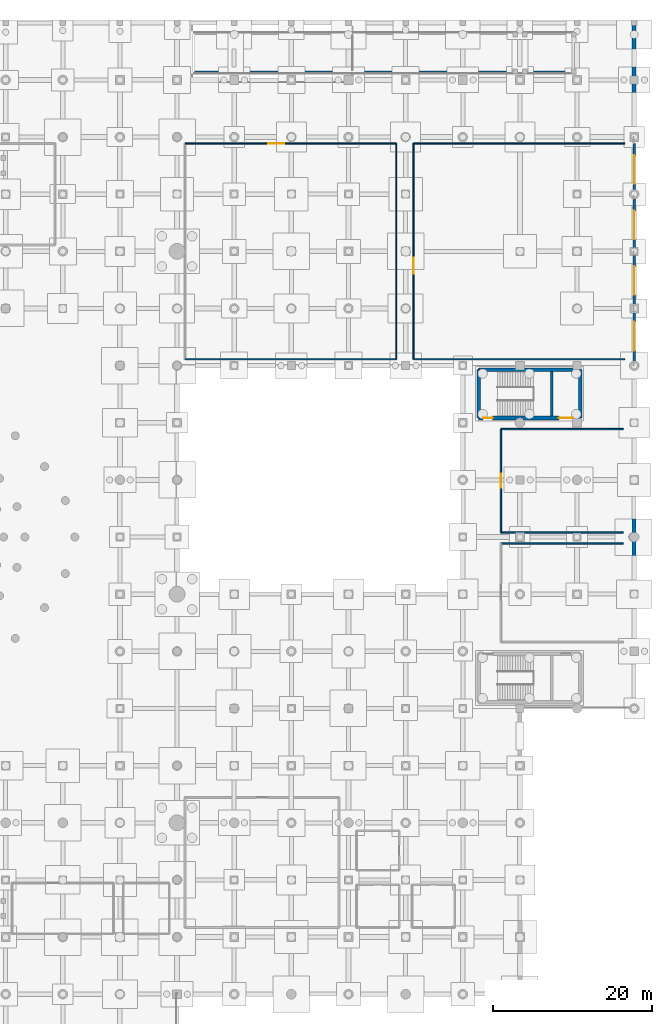
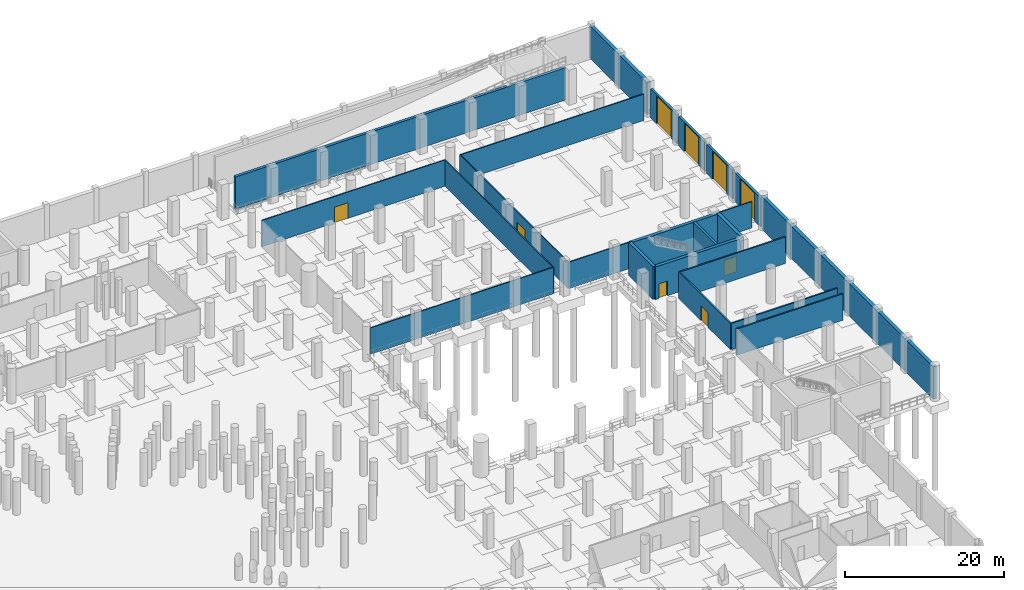
# One storey, part 28 of 37: 22 walls, 9 doors, 9 openings.
"""IFC4 building model written with IfcOpenShell, lengths in metres."""

from ifc_helpers import new_model, si_unit, direction, frame, frame_2d, origin, place, context, subcontext, project, spatial, rectangle, extrude, material, layer, layer_set, type_object, element, fill, save


model = new_model("IFC4")

# Units and contexts
model_context = context("Model", 3, precision=1e-05, world=origin(), true_north=direction((0.0, 1.0)))
body_context = subcontext(model_context, "Body", "Model", "MODEL_VIEW")
ifc_project = project(units=[si_unit("LENGTHUNIT", "METRE"), si_unit("AREAUNIT", "SQUARE_METRE"), si_unit("VOLUMEUNIT", "CUBIC_METRE"), si_unit("PLANEANGLEUNIT", "RADIAN"), si_unit("MASSUNIT", "GRAM", prefix="KILO")], contexts=[model_context])

# Site, building, storey
site_placement = place(None, origin())
site = spatial("IfcSite", under=ifc_project, at=site_placement, CompositionType="ELEMENT")
building_placement = place(site_placement, origin())
building = spatial("IfcBuilding", under=site, at=building_placement, Name="Qandorah Velis Arena", CompositionType="ELEMENT")
storey_placement = place(building_placement, frame((0.0, 0.0, -5.39990234375)))
storey = spatial("IfcBuildingStorey", under=building, at=storey_placement, Name="B1", CompositionType="ELEMENT", Elevation=-5.39990234375)

# Wall, opening, door
ifc_material_1 = material(Name="Precast concrete C40/50", Category="concrete")
ifc_layer_1 = layer(ifc_material_1, 0.340087890625)
ifc_layer_set_1 = layer_set([ifc_layer_1], Name="Precast concrete C40/50")
wall_type_1 = type_object("IfcWallType", Name="ARC-WAL-EXT340", PredefinedType="SOLIDWALL", material=ifc_layer_set_1)
wall_1_placement = place(storey_placement, frame((172.800048828125, 86.800048828125, 0.0), z_axis=(0.0, 0.0, 1.0), x_axis=(0.0, 1.0, 0.0)))
wall_1 = element("IfcWall", 1, at=wall_1_placement, inside=storey, type_object=wall_type_1, Name="Truck loading dock bay wall 1", PredefinedType="SOLIDWALL", context=body_context, shape_type="SweptSolid", body=[
    extrude(rectangle(XDim=6.599853515625, YDim=0.340087890625, at=frame_2d((3.2998046875, 0.0))), origin(), (0.0, 0.0, 1.0), 4.449951171875),
])
opening_1_placement = place(wall_1_placement, frame((1.5, 0.0, 0.0)))
opening_1 = element("IfcOpeningElement", 2, at=opening_1_placement, cuts=wall_1, Name="Opening TD1", PredefinedType="OPENING", context=body_context, shape_type="SweptSolid", body=[
    extrude(rectangle(XDim=3.60009765625, YDim=4.300048828125, at=frame_2d((1.800048828125, 2.14990234375))), frame((0.0, 0.18017578125, 0.0), z_axis=(0.0, -1.0, 0.0), x_axis=(1.0, 0.0, 0.0)), (0.0, 0.0, 1.0), 0.360107421875),
])
ifc_material_2 = material(Name="Insulated sectional overhead dock door")
door_type_1 = type_object("IfcDoorType", Name="ARC-DR-DCK3600", OperationType="NOTDEFINED", PredefinedType="DOOR", material=ifc_material_2)
door_1_placement = place(opening_1_placement, frame((3.60009765625, 0.0, 0.0), z_axis=(0.0, 0.0, 1.0), x_axis=(-1.0, 0.0, 0.0)))
door_1 = element("IfcDoor", 3, at=door_1_placement, inside=storey, type_object=door_type_1, Name="Truck loading dock overhead shutter door TD1", OperationType="SLIDING_TO_RIGHT", OverallHeight=4.300048828125, OverallWidth=3.60009765625, PredefinedType="DOOR", context=body_context, shape_type="SweptSolid", body=[
    extrude(rectangle(XDim=3.60009765625, YDim=4.300048828125, at=frame_2d((1.800048828125, 2.14990234375))), frame((0.0, 0.02490234375, 0.0), z_axis=(0.0, -1.0, 0.0), x_axis=(1.0, 0.0, 0.0)), (0.0, 0.0, 1.0), 0.050048828125),
])
fill(opening_1, door_1)

wall_2_placement = place(storey_placement, frame((172.800048828125, 93.800048828125, 0.0), z_axis=(0.0, 0.0, 1.0), x_axis=(0.0, 1.0, 0.0)))
wall_2 = element("IfcWall", 4, at=wall_2_placement, inside=storey, type_object=wall_type_1, Name="Truck loading dock bay wall 2", PredefinedType="SOLIDWALL", context=body_context, shape_type="SweptSolid", body=[
    extrude(rectangle(XDim=6.599853515625, YDim=0.340087890625, at=frame_2d((3.2998046875, 0.0))), origin(), (0.0, 0.0, 1.0), 4.449951171875),
])
opening_2_placement = place(wall_2_placement, frame((1.5, 0.0, 0.0)))
opening_2 = element("IfcOpeningElement", 5, at=opening_2_placement, cuts=wall_2, Name="Opening TD1", PredefinedType="OPENING", context=body_context, shape_type="SweptSolid", body=[
    extrude(rectangle(XDim=3.60009765625, YDim=4.300048828125, at=frame_2d((1.800048828125, 2.14990234375))), frame((0.0, 0.18017578125, 0.0), z_axis=(0.0, -1.0, 0.0), x_axis=(1.0, 0.0, 0.0)), (0.0, 0.0, 1.0), 0.360107421875),
])
door_2_placement = place(opening_2_placement, frame((3.60009765625, 0.0, 0.0), z_axis=(0.0, 0.0, 1.0), x_axis=(-1.0, 0.0, 0.0)))
door_2 = element("IfcDoor", 6, at=door_2_placement, inside=storey, type_object=door_type_1, Name="Truck loading dock overhead shutter door TD2", OperationType="SLIDING_TO_RIGHT", OverallHeight=4.300048828125, OverallWidth=3.60009765625, PredefinedType="DOOR", context=body_context, shape_type="SweptSolid", body=[
    extrude(rectangle(XDim=3.60009765625, YDim=4.300048828125, at=frame_2d((1.800048828125, 2.14990234375))), frame((0.0, 0.02490234375, 0.0), z_axis=(0.0, -1.0, 0.0), x_axis=(1.0, 0.0, 0.0)), (0.0, 0.0, 1.0), 0.050048828125),
])
fill(opening_2, door_2)

wall_3_placement = place(storey_placement, frame((172.800048828125, 100.800048828125, 0.0), z_axis=(0.0, 0.0, 1.0), x_axis=(0.0, 1.0, 0.0)))
wall_3 = element("IfcWall", 7, at=wall_3_placement, inside=storey, type_object=wall_type_1, Name="Truck loading dock bay wall 3", PredefinedType="SOLIDWALL", context=body_context, shape_type="SweptSolid", body=[
    extrude(rectangle(XDim=6.599853515625, YDim=0.340087890625, at=frame_2d((3.2998046875, 0.0))), origin(), (0.0, 0.0, 1.0), 4.449951171875),
])
opening_3_placement = place(wall_3_placement, frame((1.5, 0.0, 0.0)))
opening_3 = element("IfcOpeningElement", 8, at=opening_3_placement, cuts=wall_3, Name="Opening TD1", PredefinedType="OPENING", context=body_context, shape_type="SweptSolid", body=[
    extrude(rectangle(XDim=3.60009765625, YDim=4.300048828125, at=frame_2d((1.800048828125, 2.14990234375))), frame((0.0, 0.18017578125, 0.0), z_axis=(0.0, -1.0, 0.0), x_axis=(1.0, 0.0, 0.0)), (0.0, 0.0, 1.0), 0.360107421875),
])
door_3_placement = place(opening_3_placement, frame((3.60009765625, 0.0, 0.0), z_axis=(0.0, 0.0, 1.0), x_axis=(-1.0, 0.0, 0.0)))
door_3 = element("IfcDoor", 9, at=door_3_placement, inside=storey, type_object=door_type_1, Name="Truck loading dock overhead shutter door TD3", OperationType="SLIDING_TO_RIGHT", OverallHeight=4.300048828125, OverallWidth=3.60009765625, PredefinedType="DOOR", context=body_context, shape_type="SweptSolid", body=[
    extrude(rectangle(XDim=3.60009765625, YDim=4.300048828125, at=frame_2d((1.800048828125, 2.14990234375))), frame((0.0, 0.02490234375, 0.0), z_axis=(0.0, -1.0, 0.0), x_axis=(1.0, 0.0, 0.0)), (0.0, 0.0, 1.0), 0.050048828125),
])
fill(opening_3, door_3)

wall_4_placement = place(storey_placement, frame((172.800048828125, 107.800048828125, 0.0), z_axis=(0.0, 0.0, 1.0), x_axis=(0.0, 1.0, 0.0)))
wall_4 = element("IfcWall", 10, at=wall_4_placement, inside=storey, type_object=wall_type_1, Name="Truck loading dock bay wall 4", PredefinedType="SOLIDWALL", context=body_context, shape_type="SweptSolid", body=[
    extrude(rectangle(XDim=6.599853515625, YDim=0.340087890625, at=frame_2d((3.2998046875, 0.0))), origin(), (0.0, 0.0, 1.0), 4.449951171875),
])
opening_4_placement = place(wall_4_placement, frame((1.5, 0.0, 0.0)))
opening_4 = element("IfcOpeningElement", 11, at=opening_4_placement, cuts=wall_4, Name="Opening TD1", PredefinedType="OPENING", context=body_context, shape_type="SweptSolid", body=[
    extrude(rectangle(XDim=3.60009765625, YDim=4.300048828125, at=frame_2d((1.800048828125, 2.14990234375))), frame((0.0, 0.18017578125, 0.0), z_axis=(0.0, -1.0, 0.0), x_axis=(1.0, 0.0, 0.0)), (0.0, 0.0, 1.0), 0.360107421875),
])
door_4_placement = place(opening_4_placement, frame((3.60009765625, 0.0, 0.0), z_axis=(0.0, 0.0, 1.0), x_axis=(-1.0, 0.0, 0.0)))
door_4 = element("IfcDoor", 12, at=door_4_placement, inside=storey, type_object=door_type_1, Name="Truck loading dock overhead shutter door TD4", OperationType="SLIDING_TO_RIGHT", OverallHeight=4.300048828125, OverallWidth=3.60009765625, PredefinedType="DOOR", context=body_context, shape_type="SweptSolid", body=[
    extrude(rectangle(XDim=3.60009765625, YDim=4.300048828125, at=frame_2d((1.800048828125, 2.14990234375))), frame((0.0, 0.02490234375, 0.0), z_axis=(0.0, -1.0, 0.0), x_axis=(1.0, 0.0, 0.0)), (0.0, 0.0, 1.0), 0.050048828125),
])
fill(opening_4, door_4)

# Walls
ifc_material_3 = material(Name="Concrete C35/45", Category="concrete")
ifc_layer_2 = layer(ifc_material_3, 0.199951171875)
ifc_layer_set_2 = layer_set([ifc_layer_2], Name="Concrete C35/45")
wall_type_2 = type_object("IfcWallType", Name="ARC-WAL-FD60-200", PredefinedType="PARTITIONING", material=ifc_layer_set_2)
for number, where, z_axis, x_axis, name in (
    (13, (171.39990234375, 64.0, 0.0), (0.0, 0.0, 1.0), (-1.0, 0.0, 0.0), "Interior partition B1-PLT-CHL (N)"),
    (14, (156.0, 65.39990234375, 0.0), (0.0, 0.0, 1.0), (1.0, 0.0, 0.0), "Interior partition B1-PLT-ELC (S)"),
    (15, (171.39990234375, 78.39990234375, 0.0), (0.0, 0.0, 1.0), (-1.0, 0.0, 0.0), "Interior partition B1-PLT-ELC (N)"),
):
    element("IfcWall", number, at=place(storey_placement, frame(where, z_axis=z_axis, x_axis=x_axis)), inside=storey, type_object=wall_type_2, Name=name, PredefinedType="PARTITIONING", context=body_context, shape_type="SweptSolid", body=[
        extrude(rectangle(XDim=15.39990234375, YDim=0.199951171875, at=frame_2d((7.699951171875, 0.0))), origin(), (0.0, 0.0, 1.0), 4.039794921875),
    ])

# Wall, opening, door
wall_5_placement = place(storey_placement, frame((156.0, 78.39990234375, 0.0), z_axis=(0.0, 0.0, 1.0), x_axis=(0.0, -1.0, 0.0)))
wall_5 = element("IfcWall", 16, at=wall_5_placement, inside=storey, type_object=wall_type_2, Name="Interior partition B1-PLT-ELC (W)", PredefinedType="PARTITIONING", context=body_context, shape_type="SweptSolid", body=[
    extrude(rectangle(XDim=13.0, YDim=0.199951171875, at=frame_2d((6.5, 0.0))), origin(), (0.0, 0.0, 1.0), 4.039794921875),
])
opening_5_placement = place(wall_5_placement, frame((5.60009765625, 0.0, 0.0)))
opening_5 = element("IfcOpeningElement", 17, at=opening_5_placement, cuts=wall_5, Name="Opening FD1", PredefinedType="OPENING", context=body_context, shape_type="SweptSolid", body=[
    extrude(rectangle(XDim=1.800048828125, YDim=2.300048828125, at=frame_2d((0.89990234375, 1.14990234375))), frame((0.0, 0.10986328125, 0.0), z_axis=(0.0, -1.0, 0.0), x_axis=(1.0, 0.0, 0.0)), (0.0, 0.0, 1.0), 0.219970703125),
])
ifc_material_4 = material(Name="Insulated fire-rated double steel door", Category="steel")
door_type_2 = type_object("IfcDoorType", Name="ARC-DR-FD1800", OperationType="NOTDEFINED", PredefinedType="DOOR", material=ifc_material_4)
door_5_placement = place(opening_5_placement, frame((1.800048828125, 0.0, 0.0), z_axis=(0.0, 0.0, 1.0), x_axis=(-1.0, 0.0, 0.0)))
door_5 = element("IfcDoor", 18, at=door_5_placement, inside=storey, type_object=door_type_2, Name="Door B1-PLT-ELC", OperationType="DOUBLE_DOOR_SINGLE_SWING", OverallHeight=2.300048828125, OverallWidth=1.800048828125, PredefinedType="DOOR", context=body_context, shape_type="SweptSolid", body=[
    extrude(rectangle(XDim=1.800048828125, YDim=2.300048828125, at=frame_2d((0.89990234375, 1.14990234375))), frame((0.0, 0.02490234375, 0.0), z_axis=(0.0, -1.0, 0.0), x_axis=(1.0, 0.0, 0.0)), (0.0, 0.0, 1.0), 0.050048828125),
])
fill(opening_5, door_5)

# Walls
ifc_layer_3 = layer(ifc_material_3, 0.14990234375)
ifc_layer_set_3 = layer_set([ifc_layer_3], Name="Concrete C35/45")
wall_type_3 = type_object("IfcWallType", Name="ARC-WAL-PART150", PredefinedType="PARTITIONING", material=ifc_layer_set_3)
wall_6_placement = place(storey_placement, frame((116.199951171875, 87.199951171875, 0.0), z_axis=(0.0, 0.0, 1.0), x_axis=(1.0, 0.0, 0.0)))
element("IfcWall", 19, at=wall_6_placement, inside=storey, type_object=wall_type_3, Name="Interior partition B1-MAR-HAL (S)", PredefinedType="PARTITIONING", context=body_context, shape_type="SweptSolid", body=[
    extrude(rectangle(XDim=26.60009765625, YDim=0.14990234375, at=frame_2d((13.300048828125, 0.0))), origin(), (0.0, 0.0, 1.0), 4.039794921875),
])
wall_7_placement = place(storey_placement, frame((142.800048828125, 87.199951171875, 0.0), z_axis=(0.0, 0.0, 1.0), x_axis=(0.0, 1.0, 0.0)))
element("IfcWall", 20, at=wall_7_placement, inside=storey, type_object=wall_type_3, Name="Interior partition B1-MAR-HAL (E)", PredefinedType="PARTITIONING", context=body_context, shape_type="SweptSolid", body=[
    extrude(rectangle(XDim=27.199951171875, YDim=0.14990234375, at=frame_2d((13.60009765625, 0.0))), origin(), (0.0, 0.0, 1.0), 4.039794921875),
])

# Wall, opening, door
wall_8_placement = place(storey_placement, frame((142.800048828125, 114.39990234375, 0.0), z_axis=(0.0, 0.0, 1.0), x_axis=(-1.0, 0.0, 0.0)))
wall_8 = element("IfcWall", 21, at=wall_8_placement, inside=storey, type_object=wall_type_3, Name="Interior partition B1-MAR-HAL (N)", PredefinedType="PARTITIONING", context=body_context, shape_type="SweptSolid", body=[
    extrude(rectangle(XDim=26.60009765625, YDim=0.14990234375, at=frame_2d((13.300048828125, 0.0))), origin(), (0.0, 0.0, 1.0), 4.039794921875),
])
opening_6_placement = place(wall_8_placement, frame((14.10009765625, 0.0, 0.0)))
opening_6 = element("IfcOpeningElement", 22, at=opening_6_placement, cuts=wall_8, Name="Opening D5", PredefinedType="OPENING", context=body_context, shape_type="SweptSolid", body=[
    extrude(rectangle(XDim=2.0, YDim=2.39990234375, at=frame_2d((1.0, 1.199951171875))), frame((0.0, 0.0849609375, 0.0), z_axis=(0.0, -1.0, 0.0), x_axis=(1.0, 0.0, 0.0)), (0.0, 0.0, 1.0), 0.169921875),
])
ifc_material_5 = material(Name="Double-leaf glazed acoustic aluminium door", Category="aluminium")
door_type_3 = type_object("IfcDoorType", Name="ARC-DR-DBL2000", OperationType="NOTDEFINED", PredefinedType="DOOR", material=ifc_material_5)
door_6_placement = place(opening_6_placement, origin())
door_6 = element("IfcDoor", 23, at=door_6_placement, inside=storey, type_object=door_type_3, Name="Door B1-MAR-HAL", OperationType="DOUBLE_DOOR_SINGLE_SWING", OverallHeight=2.39990234375, OverallWidth=2.0, PredefinedType="DOOR", context=body_context, shape_type="SweptSolid", body=[
    extrude(rectangle(XDim=2.0, YDim=2.39990234375, at=frame_2d((1.0, 1.199951171875))), frame((0.0, 0.02490234375, 0.0), z_axis=(0.0, -1.0, 0.0), x_axis=(1.0, 0.0, 0.0)), (0.0, 0.0, 1.0), 0.050048828125),
])
fill(opening_6, door_6)

# Walls
for number, where, z_axis, x_axis, name in (
    (24, (145.0, 87.199951171875, 0.0), (0.0, 0.0, 1.0), (1.0, 0.0, 0.0), "Interior partition B1-DCK-BAY (S)"),
    (25, (171.60009765625, 114.39990234375, 0.0), (0.0, 0.0, 1.0), (-1.0, 0.0, 0.0), "Interior partition B1-DCK-BAY (N)"),
):
    element("IfcWall", number, at=place(storey_placement, frame(where, z_axis=z_axis, x_axis=x_axis)), inside=storey, type_object=wall_type_3, Name=name, PredefinedType="PARTITIONING", context=body_context, shape_type="SweptSolid", body=[
        extrude(rectangle(XDim=26.60009765625, YDim=0.14990234375, at=frame_2d((13.300048828125, 0.0))), origin(), (0.0, 0.0, 1.0), 4.039794921875),
    ])

# Wall, opening, door
wall_9_placement = place(storey_placement, frame((145.0, 114.39990234375, 0.0), z_axis=(0.0, 0.0, 1.0), x_axis=(0.0, -1.0, 0.0)))
wall_9 = element("IfcWall", 26, at=wall_9_placement, inside=storey, type_object=wall_type_3, Name="Interior partition B1-DCK-BAY (W)", PredefinedType="PARTITIONING", context=body_context, shape_type="SweptSolid", body=[
    extrude(rectangle(XDim=27.199951171875, YDim=0.14990234375, at=frame_2d((13.60009765625, 0.0))), origin(), (0.0, 0.0, 1.0), 4.039794921875),
])
opening_7_placement = place(wall_9_placement, frame((14.39990234375, 0.0, 0.0)))
opening_7 = element("IfcOpeningElement", 27, at=opening_7_placement, cuts=wall_9, Name="Opening D5", PredefinedType="OPENING", context=body_context, shape_type="SweptSolid", body=[
    extrude(rectangle(XDim=2.0, YDim=2.39990234375, at=frame_2d((1.0, 1.199951171875))), frame((0.0, 0.0849609375, 0.0), z_axis=(0.0, -1.0, 0.0), x_axis=(1.0, 0.0, 0.0)), (0.0, 0.0, 1.0), 0.169921875),
])
door_7_placement = place(opening_7_placement, frame((2.0, 0.0, 0.0), z_axis=(0.0, 0.0, 1.0), x_axis=(-1.0, 0.0, 0.0)))
door_7 = element("IfcDoor", 28, at=door_7_placement, inside=storey, type_object=door_type_3, Name="Door B1-DCK-BAY", OperationType="DOUBLE_DOOR_SINGLE_SWING", OverallHeight=2.39990234375, OverallWidth=2.0, PredefinedType="DOOR", context=body_context, shape_type="SweptSolid", body=[
    extrude(rectangle(XDim=2.0, YDim=2.39990234375, at=frame_2d((1.0, 1.199951171875))), frame((0.0, 0.02490234375, 0.0), z_axis=(0.0, -1.0, 0.0), x_axis=(1.0, 0.0, 0.0)), (0.0, 0.0, 1.0), 0.050048828125),
])
fill(opening_7, door_7)

# Wall, openings, doors
ifc_material_6 = material(Name="Concrete C40/50", Category="concrete")
ifc_layer_4 = layer(ifc_material_6, 0.449951171875)
ifc_layer_set_4 = layer_set([ifc_layer_4], Name="Concrete C40/50")
wall_type_4 = type_object("IfcWallType", Name="STR-WAL-CORE450", PredefinedType="SHEAR", material=ifc_layer_set_4)
wall_10_placement = place(storey_placement, frame((153.199951171875, 79.800048828125, 0.0), z_axis=(0.0, 0.0, 1.0), x_axis=(1.0, 0.0, 0.0)))
wall_10 = element("IfcWall", 29, at=wall_10_placement, inside=storey, type_object=wall_type_4, Name="Core CORE-08 shear wall S (B1)", PredefinedType="SHEAR", context=body_context, shape_type="SweptSolid", body=[
    extrude(rectangle(XDim=12.800048828125, YDim=0.449951171875, at=frame_2d((6.39990234375, 0.0))), origin(), (0.0, 0.0, 1.0), 5.02001953125),
])
opening_8_placement = place(wall_10_placement, frame((0.550048828125, 0.0, 0.0)))
opening_8 = element("IfcOpeningElement", 30, at=opening_8_placement, cuts=wall_10, Name="Opening SD1", PredefinedType="OPENING", context=body_context, shape_type="SweptSolid", body=[
    extrude(rectangle(XDim=1.199951171875, YDim=2.25, at=frame_2d((0.60009765625, 1.125))), frame((0.0, 0.23486328125, 0.0), z_axis=(0.0, -1.0, 0.0), x_axis=(1.0, 0.0, 0.0)), (0.0, 0.0, 1.0), 0.469970703125),
])
opening_9_placement = place(wall_10_placement, frame((10.10791015625, 0.0, 0.0)))
opening_9 = element("IfcOpeningElement", 31, at=opening_9_placement, cuts=wall_10, Name="Opening LD3", PredefinedType="OPENING", context=body_context, shape_type="SweptSolid", body=[
    extrude(rectangle(XDim=1.800048828125, YDim=2.39990234375, at=frame_2d((0.89990234375, 1.199951171875))), frame((0.0, 0.23486328125, 0.0), z_axis=(0.0, -1.0, 0.0), x_axis=(1.0, 0.0, 0.0)), (0.0, 0.0, 1.0), 0.469970703125),
])
ifc_material_7 = material(Name="Goods stainless bi-parting lift landing door", Category="steel")
door_type_4 = type_object("IfcDoorType", Name="ARC-DR-LD1800", OperationType="NOTDEFINED", PredefinedType="DOOR", material=ifc_material_7)
door_8_placement = place(opening_9_placement, origin())
door_8 = element("IfcDoor", 32, at=door_8_placement, inside=storey, type_object=door_type_4, Name="Lift GL1 sliding landing door (B1)", OperationType="SLIDING_TO_LEFT", OverallHeight=2.39990234375, OverallWidth=1.800048828125, PredefinedType="DOOR", context=body_context, shape_type="SweptSolid", body=[
    extrude(rectangle(XDim=1.800048828125, YDim=2.39990234375, at=frame_2d((0.89990234375, 1.199951171875))), frame((0.0, 0.02490234375, 0.0), z_axis=(0.0, -1.0, 0.0), x_axis=(1.0, 0.0, 0.0)), (0.0, 0.0, 1.0), 0.050048828125),
])
fill(opening_9, door_8)
ifc_material_8 = material(Name="Self-closing fire-rated stair steel door", Category="steel")
door_type_5 = type_object("IfcDoorType", Name="ARC-DR-ST1200", OperationType="NOTDEFINED", PredefinedType="DOOR", material=ifc_material_8)
door_9_placement = place(opening_8_placement, origin())
door_9 = element("IfcDoor", 33, at=door_9_placement, inside=storey, type_object=door_type_5, Name="Stair ST8 fire door (B1)", OperationType="SINGLE_SWING_LEFT", OverallHeight=2.25, OverallWidth=1.199951171875, PredefinedType="DOOR", context=body_context, shape_type="SweptSolid", body=[
    extrude(rectangle(XDim=1.199951171875, YDim=2.25, at=frame_2d((0.60009765625, 1.125))), frame((0.0, 0.02490234375, 0.0), z_axis=(0.0, -1.0, 0.0), x_axis=(1.0, 0.0, 0.0)), (0.0, 0.0, 1.0), 0.050048828125),
])
fill(opening_8, door_9)

# Walls
wall_11_placement = place(storey_placement, frame((153.199951171875, 85.89990234375, 0.0), z_axis=(0.0, 0.0, 1.0), x_axis=(1.0, 0.0, 0.0)))
element("IfcWall", 34, at=wall_11_placement, inside=storey, type_object=wall_type_4, Name="Core CORE-08 shear wall N (B1)", PredefinedType="SHEAR", context=body_context, shape_type="SweptSolid", body=[
    extrude(rectangle(XDim=12.800048828125, YDim=0.449951171875, at=frame_2d((6.39990234375, 0.0))), origin(), (0.0, 0.0, 1.0), 5.02001953125),
])
for number, where, z_axis, x_axis, name in (
    (35, (153.199951171875, 79.800048828125, 0.0), (0.0, 0.0, 1.0), (0.0, 1.0, 0.0), "Core CORE-08 shear wall W (B1)"),
    (36, (166.0, 79.800048828125, 0.0), (0.0, 0.0, 1.0), (0.0, 1.0, 0.0), "Core CORE-08 shear wall E (B1)"),
):
    element("IfcWall", number, at=place(storey_placement, frame(where, z_axis=z_axis, x_axis=x_axis)), inside=storey, type_object=wall_type_4, Name=name, PredefinedType="SHEAR", context=body_context, shape_type="SweptSolid", body=[
        extrude(rectangle(XDim=6.099853515625, YDim=0.449951171875, at=frame_2d((3.0498046875, 0.0))), origin(), (0.0, 0.0, 1.0), 5.02001953125),
    ])
ifc_layer_5 = layer(ifc_material_6, 0.5)
ifc_layer_set_5 = layer_set([ifc_layer_5], Name="Concrete C40/50")
wall_type_5 = type_object("IfcWallType", Name="STR-WAL-RET500", PredefinedType="USERDEFINED", material=ifc_layer_set_5)
wall_12_placement = place(storey_placement, frame((172.800048828125, 43.199951171875, 0.0), z_axis=(0.0, 0.0, 1.0), x_axis=(0.0, 1.0, 0.0)))
element("IfcWall", 37, at=wall_12_placement, inside=storey, type_object=wall_type_5, Name="Basement retaining wall RET-E-OASIS", ObjectType="RETAINING WALL", PredefinedType="USERDEFINED", context=body_context, shape_type="SweptSolid", body=[
    extrude(rectangle(XDim=43.199951171875, YDim=0.5, at=frame_2d((21.60009765625, 0.0))), origin(), (0.0, 0.0, 1.0), 4.97998046875),
])
wall_13_placement = place(storey_placement, frame((172.800048828125, 115.199951171875, 0.0), z_axis=(0.0, 0.0, 1.0), x_axis=(0.0, 1.0, 0.0)))
element("IfcWall", 38, at=wall_13_placement, inside=storey, type_object=wall_type_5, Name="Basement retaining wall RET-E-NORTH", ObjectType="RETAINING WALL", PredefinedType="USERDEFINED", context=body_context, shape_type="SweptSolid", body=[
    extrude(rectangle(XDim=14.400146484375, YDim=0.5, at=frame_2d((7.2001953125, 0.0))), origin(), (0.0, 0.0, 1.0), 4.97998046875),
])
ifc_layer_6 = layer(ifc_material_6, 0.35009765625)
ifc_layer_set_6 = layer_set([ifc_layer_6], Name="Concrete C40/50")
wall_type_6 = type_object("IfcWallType", Name="STR-WAL-SH350", PredefinedType="SHEAR", material=ifc_layer_set_6)
wall_14_placement = place(storey_placement, frame((162.416015625, 80.02490234375, 0.0), z_axis=(0.0, 0.0, 1.0), x_axis=(0.0, 1.0, 0.0)))
element("IfcWall", 39, at=wall_14_placement, inside=storey, type_object=wall_type_6, Name="Core CORE-08 shaft divider shear wall (B1)", PredefinedType="SHEAR", context=body_context, shape_type="SweptSolid", body=[
    extrude(rectangle(XDim=5.650146484375, YDim=0.35009765625, at=frame_2d((2.8251953125, 0.0))), origin(), (0.0, 0.0, 1.0), 5.02001953125),
])
ifc_layer_7 = layer(ifc_material_6, 0.39990234375)
ifc_layer_set_7 = layer_set([ifc_layer_7], Name="Concrete C40/50")
wall_type_7 = type_object("IfcWallType", Name="STR-WAL-SH400", PredefinedType="SHEAR", material=ifc_layer_set_7)
wall_15_placement = place(storey_placement, frame((117.39990234375, 123.300048828125, 0.0), z_axis=(0.0, 0.0, 1.0), x_axis=(1.0, 0.0, 0.0)))
element("IfcWall", 40, at=wall_15_placement, inside=storey, type_object=wall_type_7, Name="Basement retaining wall RW-VR1-S", PredefinedType="SHEAR", context=body_context, shape_type="SweptSolid", body=[
    extrude(rectangle(XDim=48.0, YDim=0.39990234375, at=frame_2d((24.0, 0.0))), origin(), (0.0, 0.0, 1.0), 4.97998046875),
])

save(model, "model.ifc")
